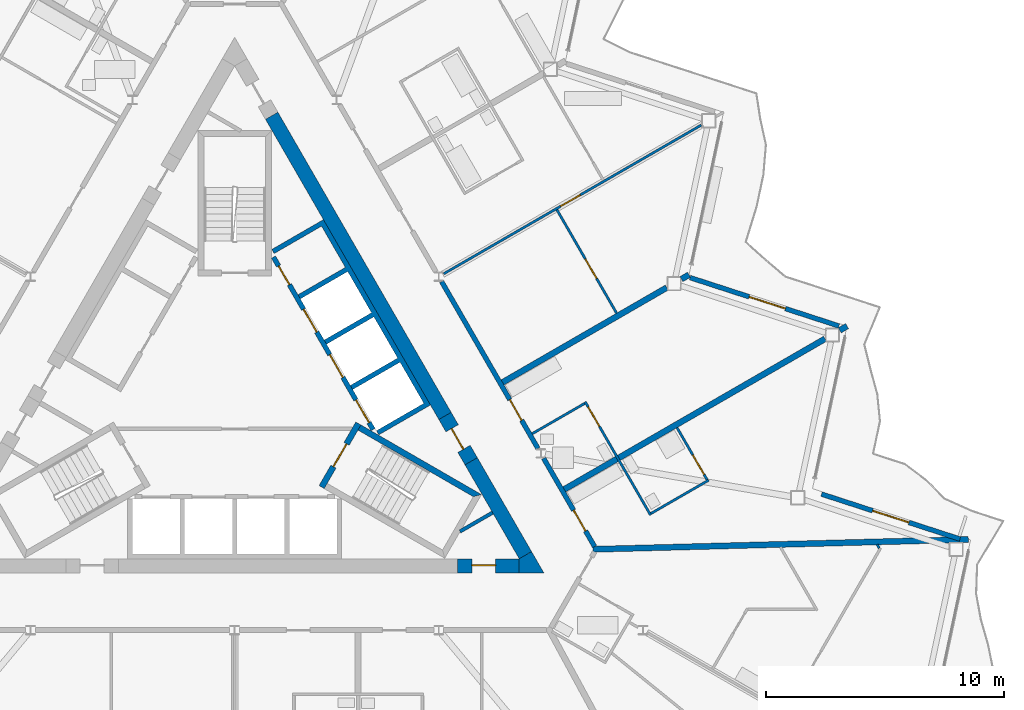
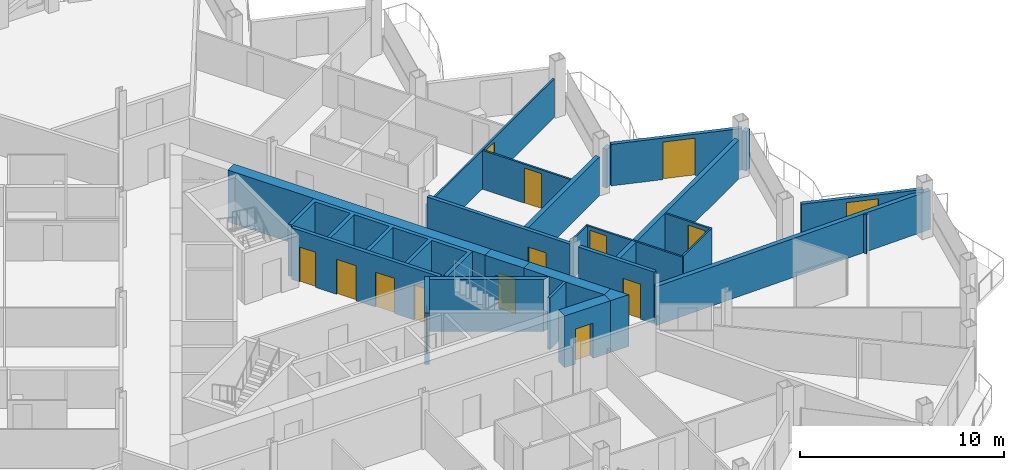
# One storey, part 17 of 28: 26 walls, 15 doors, 15 openings.
"""IFC4 building model written with IfcOpenShell, lengths in metres."""

from ifc_helpers import new_model, si_unit, direction, frame, frame_2d, origin, place, context, subcontext, project, spatial, polyline, rectangle, outline, extrude, material, layer, layer_set, type_object, element, fill, save


model = new_model("IFC4")

# Units and contexts
model_context = context("Model", 3, precision=1e-05, world=origin(), true_north=direction((0.0, 1.0)))
body_context = subcontext(model_context, "Body", "Model", "MODEL_VIEW")
ifc_project = project(units=[si_unit("LENGTHUNIT", "METRE"), si_unit("AREAUNIT", "SQUARE_METRE"), si_unit("VOLUMEUNIT", "CUBIC_METRE"), si_unit("PLANEANGLEUNIT", "RADIAN"), si_unit("MASSUNIT", "GRAM", prefix="KILO")], contexts=[model_context])

# Site, building, storey
site_placement = place(None, origin())
site = spatial("IfcSite", under=ifc_project, at=site_placement, CompositionType="ELEMENT")
building_placement = place(site_placement, origin())
building = spatial("IfcBuilding", under=site, at=building_placement, Name="Cormorant Prow Tower", CompositionType="ELEMENT")
storey_placement = place(building_placement, frame((0.0, 0.0, 308.60009765625)))
storey = spatial("IfcBuildingStorey", under=building, at=storey_placement, Name="L67", CompositionType="ELEMENT", Elevation=308.60009765625)

# Walls
ifc_material_1 = material(Name="Gypsum board partition")
ifc_layer_1 = layer(ifc_material_1, 0.14990234375)
ifc_layer_set_1 = layer_set([ifc_layer_1], Name="Gypsum board partition")
wall_type_1 = type_object("IfcWallType", Name="Core partition 150", PredefinedType="PARTITIONING", material=ifc_layer_set_1)
wall_1_placement = place(storey_placement, frame((10.841796875, -4.96728515625, 0.0), z_axis=(0.0, 0.0, 1.0), x_axis=(-0.866098216386, -0.499873863663, 0.0)))
element("IfcWall", 1, at=wall_1_placement, inside=storey, type_object=wall_type_1, Name="Service room partition", PredefinedType="PARTITIONING", context=body_context, shape_type="SweptSolid", body=[
    extrude(rectangle(XDim=1.58203125, YDim=0.14990234375, at=frame_2d((0.791015625, 0.0))), origin(), (0.0, 0.0, 1.0), 3.099853515625),
])
ifc_material_2 = material(Name="Concrete 8000 psi", Category="concrete")
ifc_layer_2 = layer(ifc_material_2, 0.60009765625)
ifc_layer_set_2 = layer_set([ifc_layer_2], Name="Concrete 8000 psi")
wall_type_2 = type_object("IfcWallType", Name="Core shear wall 600", PredefinedType="SHEAR", material=ifc_layer_set_2)
wall_2_placement = place(storey_placement, frame((8.841064453125, -0.902099609375, 0.0), z_axis=(0.0, 0.0, 1.0), x_axis=(-0.499995618375, 0.866027933502, 0.0)))
element("IfcWall", 2, at=wall_2_placement, inside=storey, type_object=wall_type_2, Name="Core wall", PredefinedType="SHEAR", context=body_context, shape_type="SweptSolid", body=[
    extrude(rectangle(XDim=14.570556640625, YDim=0.60009765625, at=frame_2d((7.28515625, 0.0))), origin(), (0.0, 0.0, 1.0), 3.099853515625),
])
wall_3_placement = place(storey_placement, frame((12.220703125, -6.755615234375, 0.0), z_axis=(0.0, 0.0, 1.0), x_axis=(-0.500020646047, 0.866013483456, 0.0)))
element("IfcWall", 3, at=wall_3_placement, inside=storey, type_object=wall_type_2, Name="Core wall", PredefinedType="SHEAR", context=body_context, shape_type="SweptSolid", body=[
    extrude(rectangle(XDim=4.559326171875, YDim=0.60009765625, at=frame_2d((2.27978515625, 0.0))), origin(), (0.0, 0.0, 1.0), 3.099853515625),
])
wall_4_placement = place(storey_placement, origin())
element("IfcWall", 4, at=wall_4_placement, inside=storey, type_object=wall_type_2, Name="Core wall corner", PredefinedType="SHEAR", context=body_context, shape_type="SweptSolid", body=[
    extrude(outline(polyline([(11.960693359375, -7.505615234375), (11.960693359375, -6.905517578125), (12.48046875, -6.605712890625), (13.0, -7.505615234375), (11.960693359375, -7.505615234375)])), origin(), (0.0, 0.0, 1.0), 3.099853515625),
])

# Wall, opening, door
wall_5_placement = place(storey_placement, frame((9.36865234375, -7.20556640625, 0.0), z_axis=(0.0, 0.0, 1.0), x_axis=(1.0, 0.0, 0.0)))
wall_5 = element("IfcWall", 5, at=wall_5_placement, inside=storey, type_object=wall_type_2, Name="Core wall door panel", PredefinedType="SHEAR", context=body_context, shape_type="SweptSolid", body=[
    extrude(rectangle(XDim=2.592041015625, YDim=0.60009765625, at=frame_2d((1.2958984375, 0.0))), origin(), (0.0, 0.0, 1.0), 3.099853515625),
])
opening_1_placement = place(wall_5_placement, frame((0.60009765625, 0.0, 0.0)))
opening_1 = element("IfcOpeningElement", 6, at=opening_1_placement, cuts=wall_5, Name="Opening L67-C15", PredefinedType="OPENING", context=body_context, shape_type="SweptSolid", body=[
    extrude(rectangle(XDim=1.0, YDim=2.10009765625, at=frame_2d((0.5, 1.050048828125))), frame((0.0, 0.31005859375, 0.0), z_axis=(0.0, -1.0, 0.0), x_axis=(1.0, 0.0, 0.0)), (0.0, 0.0, 1.0), 0.6201171875),
])
ifc_material_3 = material(Name="Painted steel", Category="steel")
door_type_1 = type_object("IfcDoorType", Name="Service door 1000x2100", OperationType="NOTDEFINED", PredefinedType="DOOR", material=ifc_material_3)
door_1_placement = place(opening_1_placement, origin())
door_1 = element("IfcDoor", 7, at=door_1_placement, inside=storey, type_object=door_type_1, Name="Core door, Telecom room", OperationType="SINGLE_SWING_RIGHT", OverallHeight=2.10009765625, OverallWidth=1.0, PredefinedType="DOOR", context=body_context, shape_type="SweptSolid", body=[
    extrude(rectangle(XDim=1.0, YDim=2.10009765625, at=frame_2d((0.5, 1.050048828125))), frame((0.0, 0.05517578125, 0.0), z_axis=(0.0, -1.0, 0.0), x_axis=(1.0, 0.0, 0.0)), (0.0, 0.0, 1.0), 0.050048828125),
])
fill(opening_1, door_1)

wall_6_placement = place(storey_placement, frame((9.94091796875, -2.80712890625, 0.0), z_axis=(0.0, 0.0, 1.0), x_axis=(-0.499994660107, 0.866028486751, 0.0)))
wall_6 = element("IfcWall", 8, at=wall_6_placement, inside=storey, type_object=wall_type_2, Name="Core wall door panel", PredefinedType="SHEAR", context=body_context, shape_type="SweptSolid", body=[
    extrude(rectangle(XDim=2.19970703125, YDim=0.60009765625, at=frame_2d((1.099853515625, 0.0))), origin(), (0.0, 0.0, 1.0), 3.099853515625),
])
opening_2_placement = place(wall_6_placement, frame((0.60009765625, 0.0, 0.0)))
opening_2 = element("IfcOpeningElement", 9, at=opening_2_placement, cuts=wall_6, Name="Opening L67-C17", PredefinedType="OPENING", context=body_context, shape_type="SweptSolid", body=[
    extrude(rectangle(XDim=1.0, YDim=2.10009765625, at=frame_2d((0.5, 1.050048828125))), frame((0.0, 0.31005859375, 0.0), z_axis=(0.0, -1.0, 0.0), x_axis=(1.0, 0.0, 0.0)), (0.0, 0.0, 1.0), 0.6201171875),
])
door_2_placement = place(opening_2_placement, origin())
door_2 = element("IfcDoor", 10, at=door_2_placement, inside=storey, type_object=door_type_1, Name="Core door, Electrical room", OperationType="SINGLE_SWING_LEFT", OverallHeight=2.10009765625, OverallWidth=1.0, PredefinedType="DOOR", context=body_context, shape_type="SweptSolid", body=[
    extrude(rectangle(XDim=1.0, YDim=2.10009765625, at=frame_2d((0.5, 1.050048828125))), frame((0.0, 0.05517578125, 0.0), z_axis=(0.0, -1.0, 0.0), x_axis=(1.0, 0.0, 0.0)), (0.0, 0.0, 1.0), 0.050048828125),
])
fill(opening_2, door_2)

ifc_material_4 = material(Name="Gypsum board corridor wall")
ifc_layer_3 = layer(ifc_material_4, 0.199951171875)
ifc_layer_set_3 = layer_set([ifc_layer_3], Name="Gypsum board corridor wall")
wall_type_3 = type_object("IfcWallType", Name="Corridor wall 200", PredefinedType="PARTITIONING", material=ifc_layer_set_3)
wall_7_placement = place(storey_placement, frame((8.698486328125, 4.7451171875, 0.0), z_axis=(0.0, 0.0, 1.0), x_axis=(0.499984266882, -0.866034487114, 0.0)))
wall_7 = element("IfcWall", 11, at=wall_7_placement, inside=storey, type_object=wall_type_3, Name="Corridor wall", PredefinedType="PARTITIONING", context=body_context, shape_type="SweptSolid", body=[
    extrude(rectangle(XDim=8.098876953125, YDim=0.199951171875, at=frame_2d((4.04931640625, 0.0))), origin(), (0.0, 0.0, 1.0), 3.099853515625),
])
opening_3_placement = place(wall_7_placement, frame((5.732177734375, 0.0, 0.0)))
opening_3 = element("IfcOpeningElement", 12, at=opening_3_placement, cuts=wall_7, Name="Opening L67-F24", PredefinedType="OPENING", context=body_context, shape_type="SweptSolid", body=[
    extrude(rectangle(XDim=1.0, YDim=2.10009765625, at=frame_2d((0.5, 1.050048828125))), frame((0.0, 0.10986328125, 0.0), z_axis=(0.0, -1.0, 0.0), x_axis=(1.0, 0.0, 0.0)), (0.0, 0.0, 1.0), 0.219970703125),
])
ifc_material_5 = material(Name="Timber door leaf", Category="wood")
door_type_2 = type_object("IfcDoorType", Name="Flat or room entrance door 1000x2100", OperationType="NOTDEFINED", PredefinedType="DOOR", material=ifc_material_5)
door_3_placement = place(opening_3_placement, origin())
door_3 = element("IfcDoor", 13, at=door_3_placement, inside=storey, type_object=door_type_2, Name="Studio living, kitchen and sleeping room door", OperationType="SINGLE_SWING_LEFT", OverallHeight=2.10009765625, OverallWidth=1.0, PredefinedType="DOOR", context=body_context, shape_type="SweptSolid", body=[
    extrude(rectangle(XDim=1.0, YDim=2.10009765625, at=frame_2d((0.5, 1.050048828125))), frame((0.0, 0.02490234375, 0.0), z_axis=(0.0, -1.0, 0.0), x_axis=(1.0, 0.0, 0.0)), (0.0, 0.0, 1.0), 0.050048828125),
])
fill(opening_3, door_3)

wall_8_placement = place(storey_placement, frame((12.987548828125, -2.68408203125, 0.0), z_axis=(0.0, 0.0, 1.0), x_axis=(0.500003406062, -0.866023437285, 0.0)))
wall_8 = element("IfcWall", 14, at=wall_8_placement, inside=storey, type_object=wall_type_3, Name="Corridor wall", PredefinedType="PARTITIONING", context=body_context, shape_type="SweptSolid", body=[
    extrude(rectangle(XDim=4.28759765625, YDim=0.199951171875, at=frame_2d((2.143798828125, 0.0))), origin(), (0.0, 0.0, 1.0), 3.099853515625),
])
opening_4_placement = place(wall_8_placement, frame((2.521484375, 0.0, 0.0)))
opening_4 = element("IfcOpeningElement", 15, at=opening_4_placement, cuts=wall_8, Name="Opening L67-F22", PredefinedType="OPENING", context=body_context, shape_type="SweptSolid", body=[
    extrude(rectangle(XDim=1.0, YDim=2.10009765625, at=frame_2d((0.5, 1.050048828125))), frame((0.0, 0.10986328125, 0.0), z_axis=(0.0, -1.0, 0.0), x_axis=(1.0, 0.0, 0.0)), (0.0, 0.0, 1.0), 0.219970703125),
])
door_4_placement = place(opening_4_placement, origin())
door_4 = element("IfcDoor", 16, at=door_4_placement, inside=storey, type_object=door_type_2, Name="Studio living, kitchen and sleeping room door", OperationType="SINGLE_SWING_RIGHT", OverallHeight=2.10009765625, OverallWidth=1.0, PredefinedType="DOOR", context=body_context, shape_type="SweptSolid", body=[
    extrude(rectangle(XDim=1.0, YDim=2.10009765625, at=frame_2d((0.5, 1.050048828125))), frame((0.0, 0.02490234375, 0.0), z_axis=(0.0, -1.0, 0.0), x_axis=(1.0, 0.0, 0.0)), (0.0, 0.0, 1.0), 0.050048828125),
])
fill(opening_4, door_4)

ifc_material_6 = material(Name="Gypsum board partition")
ifc_layer_4 = layer(ifc_material_6, 0.10009765625)
ifc_layer_set_4 = layer_set([ifc_layer_4], Name="Gypsum board partition")
wall_type_4 = type_object("IfcWallType", Name="Internal partition 100", PredefinedType="PARTITIONING", material=ifc_layer_set_4)
wall_9_placement = place(storey_placement, frame((8.7861328125, 5.07275390625, 0.0), z_axis=(0.0, 0.0, 1.0), x_axis=(0.86602139559, 0.500006942333, 0.0)))
wall_9 = element("IfcWall", 17, at=wall_9_placement, inside=storey, type_object=wall_type_4, Name="Internal partition", PredefinedType="PARTITIONING", context=body_context, shape_type="SweptSolid", body=[
    extrude(rectangle(XDim=12.504638671875, YDim=0.10009765625, at=frame_2d((6.25244140625, 0.0))), origin(), (0.0, 0.0, 1.0), 2.330078125),
])
opening_5_placement = place(wall_9_placement, frame((5.6767578125, 0.0, 0.0)))
opening_5 = element("IfcOpeningElement", 18, at=opening_5_placement, cuts=wall_9, Name="Opening L67-F29", PredefinedType="OPENING", context=body_context, shape_type="SweptSolid", body=[
    extrude(rectangle(XDim=0.949951171875, YDim=2.10009765625, at=frame_2d((0.47509765625, 1.050048828125))), frame((0.0, 0.06005859375, 0.0), z_axis=(0.0, -1.0, 0.0), x_axis=(1.0, 0.0, 0.0)), (0.0, 0.0, 1.0), 0.1201171875),
])
ifc_material_7 = material(Name="Timber door leaf", Category="wood")
door_type_3 = type_object("IfcDoorType", Name="Bathroom door 950x2100", OperationType="NOTDEFINED", PredefinedType="DOOR", material=ifc_material_7)
door_5_placement = place(opening_5_placement, origin())
door_5 = element("IfcDoor", 19, at=door_5_placement, inside=storey, type_object=door_type_3, Name="Living room door", OperationType="SINGLE_SWING_LEFT", OverallHeight=2.10009765625, OverallWidth=0.949951171875, PredefinedType="DOOR", context=body_context, shape_type="SweptSolid", body=[
    extrude(rectangle(XDim=0.949951171875, YDim=2.10009765625, at=frame_2d((0.47509765625, 1.050048828125))), frame((0.0, 0.02490234375, 0.0), z_axis=(0.0, -1.0, 0.0), x_axis=(1.0, 0.0, 0.0)), (0.0, 0.0, 1.0), 0.050048828125),
])
fill(opening_5, door_5)

wall_10_placement = place(storey_placement, frame((14.732666015625, -0.306640625, 0.0), z_axis=(0.0, 0.0, 1.0), x_axis=(0.499996545922, -0.866027397988, 0.0)))
wall_10 = element("IfcWall", 20, at=wall_10_placement, inside=storey, type_object=wall_type_4, Name="Internal partition", PredefinedType="PARTITIONING", context=body_context, shape_type="SweptSolid", body=[
    extrude(rectangle(XDim=5.5, YDim=0.10009765625, at=frame_2d((2.75, 0.0))), origin(), (0.0, 0.0, 1.0), 2.330078125),
])
opening_6_placement = place(wall_10_placement, frame((0.25, 0.0, 0.0)))
opening_6 = element("IfcOpeningElement", 21, at=opening_6_placement, cuts=wall_10, Name="Opening L67-F25", PredefinedType="OPENING", context=body_context, shape_type="SweptSolid", body=[
    extrude(rectangle(XDim=0.949951171875, YDim=2.10009765625, at=frame_2d((0.47509765625, 1.050048828125))), frame((0.0, 0.06005859375, 0.0), z_axis=(0.0, -1.0, 0.0), x_axis=(1.0, 0.0, 0.0)), (0.0, 0.0, 1.0), 0.1201171875),
])
door_6_placement = place(opening_6_placement, origin())
door_6 = element("IfcDoor", 22, at=door_6_placement, inside=storey, type_object=door_type_3, Name="Studio living, kitchen and sleeping room door", OperationType="SINGLE_SWING_LEFT", OverallHeight=2.10009765625, OverallWidth=0.949951171875, PredefinedType="DOOR", context=body_context, shape_type="SweptSolid", body=[
    extrude(rectangle(XDim=0.949951171875, YDim=2.10009765625, at=frame_2d((0.47509765625, 1.050048828125))), frame((0.0, 0.02490234375, 0.0), z_axis=(0.0, -1.0, 0.0), x_axis=(1.0, 0.0, 0.0)), (0.0, 0.0, 1.0), 0.050048828125),
])
fill(opening_6, door_6)

wall_11_placement = place(storey_placement, frame((13.5458984375, 7.762939453125, 0.0), z_axis=(0.0, 0.0, 1.0), x_axis=(0.500028620461, -0.866008879123, 0.0)))
wall_11 = element("IfcWall", 23, at=wall_11_placement, inside=storey, type_object=wall_type_4, Name="Internal partition", PredefinedType="PARTITIONING", context=body_context, shape_type="SweptSolid", body=[
    extrude(rectangle(XDim=5.015869140625, YDim=0.10009765625, at=frame_2d((2.5078125, 0.0))), origin(), (0.0, 0.0, 1.0), 2.330078125),
])
opening_7_placement = place(wall_11_placement, frame((2.3896484375, 0.0, 0.0)))
opening_7 = element("IfcOpeningElement", 24, at=opening_7_placement, cuts=wall_11, Name="Opening L67-F30", PredefinedType="OPENING", context=body_context, shape_type="SweptSolid", body=[
    extrude(rectangle(XDim=0.949951171875, YDim=2.10009765625, at=frame_2d((0.47509765625, 1.050048828125))), frame((0.0, 0.06005859375, 0.0), z_axis=(0.0, -1.0, 0.0), x_axis=(1.0, 0.0, 0.0)), (0.0, 0.0, 1.0), 0.1201171875),
])
door_7_placement = place(opening_7_placement, origin())
door_7 = element("IfcDoor", 25, at=door_7_placement, inside=storey, type_object=door_type_3, Name="Bedroom door", OperationType="SINGLE_SWING_LEFT", OverallHeight=2.10009765625, OverallWidth=0.949951171875, PredefinedType="DOOR", context=body_context, shape_type="SweptSolid", body=[
    extrude(rectangle(XDim=0.949951171875, YDim=2.10009765625, at=frame_2d((0.47509765625, 1.050048828125))), frame((0.0, 0.02490234375, 0.0), z_axis=(0.0, -1.0, 0.0), x_axis=(1.0, 0.0, 0.0)), (0.0, 0.0, 1.0), 0.050048828125),
])
fill(opening_7, door_7)

# Wall
wall_12_placement = place(storey_placement, frame((17.5009765625, -5.00146484375, 0.0), z_axis=(0.0, 0.0, 1.0), x_axis=(0.866034573852, 0.49998411664, 0.0)))
element("IfcWall", 26, at=wall_12_placement, inside=storey, type_object=wall_type_4, Name="Internal partition", PredefinedType="PARTITIONING", context=body_context, shape_type="SweptSolid", body=[
    extrude(rectangle(XDim=2.7998046875, YDim=0.10009765625, at=frame_2d((1.39990234375, 0.0))), origin(), (0.0, 0.0, 1.0), 2.330078125),
])

# Wall, opening, door
wall_13_placement = place(storey_placement, frame((18.594970703125, -1.396484375, 0.0), z_axis=(0.0, 0.0, 1.0), x_axis=(0.499976333282, -0.866039067339, 0.0)))
wall_13 = element("IfcWall", 27, at=wall_13_placement, inside=storey, type_object=wall_type_4, Name="Internal partition", PredefinedType="PARTITIONING", context=body_context, shape_type="SweptSolid", body=[
    extrude(rectangle(XDim=2.52490234375, YDim=0.10009765625, at=frame_2d((1.262451171875, 0.0))), origin(), (0.0, 0.0, 1.0), 2.330078125),
])
opening_8_placement = place(wall_13_placement, frame((1.324951171875, 0.0, 0.0)))
opening_8 = element("IfcOpeningElement", 28, at=opening_8_placement, cuts=wall_13, Name="Opening L67-F23", PredefinedType="OPENING", context=body_context, shape_type="SweptSolid", body=[
    extrude(rectangle(XDim=0.949951171875, YDim=2.10009765625, at=frame_2d((0.47509765625, 1.050048828125))), frame((0.0, 0.06005859375, 0.0), z_axis=(0.0, -1.0, 0.0), x_axis=(1.0, 0.0, 0.0)), (0.0, 0.0, 1.0), 0.1201171875),
])
door_8_placement = place(opening_8_placement, origin())
door_8 = element("IfcDoor", 29, at=door_8_placement, inside=storey, type_object=door_type_3, Name="Studio living, kitchen and sleeping room door", OperationType="SINGLE_SWING_RIGHT", OverallHeight=2.10009765625, OverallWidth=0.949951171875, PredefinedType="DOOR", context=body_context, shape_type="SweptSolid", body=[
    extrude(rectangle(XDim=0.949951171875, YDim=2.10009765625, at=frame_2d((0.47509765625, 1.050048828125))), frame((0.0, 0.02490234375, 0.0), z_axis=(0.0, -1.0, 0.0), x_axis=(1.0, 0.0, 0.0)), (0.0, 0.0, 1.0), 0.050048828125),
])
fill(opening_8, door_8)

# Walls
wall_14_placement = place(storey_placement, frame((12.506103515625, -1.64990234375, 0.0), z_axis=(0.0, 0.0, 1.0), x_axis=(0.866030925526, 0.499990435942, 0.0)))
element("IfcWall", 30, at=wall_14_placement, inside=storey, type_object=wall_type_4, Name="Internal partition", PredefinedType="PARTITIONING", context=body_context, shape_type="SweptSolid", body=[
    extrude(rectangle(XDim=2.5498046875, YDim=0.10009765625, at=frame_2d((1.27490234375, 0.0))), origin(), (0.0, 0.0, 1.0), 2.330078125),
])
wall_15_placement = place(storey_placement, frame((27.006103515625, -6.306396484375, 0.0), z_axis=(0.0, 0.0, 1.0), x_axis=(0.500074377092, -0.865982457891, 0.0)))
element("IfcWall", 31, at=wall_15_placement, inside=storey, type_object=wall_type_4, Name="Internal partition", PredefinedType="PARTITIONING", context=body_context, shape_type="SweptSolid", body=[
    extrude(rectangle(XDim=0.18017578125, YDim=0.10009765625, at=frame_2d((0.090087890625, 0.0))), origin(), (0.0, 0.0, 1.0), 2.330078125),
])

# Wall, openings, doors
ifc_material_8 = material(Name="Concrete 5000 psi", Category="concrete")
ifc_layer_5 = layer(ifc_material_8, 0.199951171875)
ifc_layer_set_5 = layer_set([ifc_layer_5], Name="Concrete 5000 psi")
wall_type_5 = type_object("IfcWallType", Name="Lift lobby wall 200", PredefinedType="SOLIDWALL", material=ifc_layer_set_5)
wall_16_placement = place(storey_placement, frame((5.817138671875, -1.4755859375, 0.0), z_axis=(0.0, 0.0, 1.0), x_axis=(-0.500002616675, 0.866023893041, 0.0)))
wall_16 = element("IfcWall", 32, at=wall_16_placement, inside=storey, type_object=wall_type_5, Name="Lift lobby wall, ENE block", PredefinedType="SOLIDWALL", context=body_context, shape_type="SweptSolid", body=[
    extrude(rectangle(XDim=8.373046875, YDim=0.199951171875, at=frame_2d((4.1865234375, 0.0))), origin(), (0.0, 0.0, 1.0), 3.099853515625),
])
opening_9_placement = place(wall_16_placement, frame((0.336669921875, 0.0, 0.0)))
opening_9 = element("IfcOpeningElement", 33, at=opening_9_placement, cuts=wall_16, Name="Opening L67-C05", PredefinedType="OPENING", context=body_context, shape_type="SweptSolid", body=[
    extrude(rectangle(XDim=1.10009765625, YDim=2.10009765625, at=frame_2d((0.550048828125, 1.050048828125))), frame((0.0, 0.10986328125, 0.0), z_axis=(0.0, -1.0, 0.0), x_axis=(1.0, 0.0, 0.0)), (0.0, 0.0, 1.0), 0.219970703125),
])
opening_10_placement = place(wall_16_placement, frame((2.53662109375, 0.0, 0.0)))
opening_10 = element("IfcOpeningElement", 34, at=opening_10_placement, cuts=wall_16, Name="Opening L67-C06", PredefinedType="OPENING", context=body_context, shape_type="SweptSolid", body=[
    extrude(rectangle(XDim=1.10009765625, YDim=2.10009765625, at=frame_2d((0.550048828125, 1.050048828125))), frame((0.0, 0.10986328125, 0.0), z_axis=(0.0, -1.0, 0.0), x_axis=(1.0, 0.0, 0.0)), (0.0, 0.0, 1.0), 0.219970703125),
])
opening_11_placement = place(wall_16_placement, frame((4.736572265625, 0.0, 0.0)))
opening_11 = element("IfcOpeningElement", 35, at=opening_11_placement, cuts=wall_16, Name="Opening L67-C07", PredefinedType="OPENING", context=body_context, shape_type="SweptSolid", body=[
    extrude(rectangle(XDim=1.10009765625, YDim=2.10009765625, at=frame_2d((0.550048828125, 1.050048828125))), frame((0.0, 0.10986328125, 0.0), z_axis=(0.0, -1.0, 0.0), x_axis=(1.0, 0.0, 0.0)), (0.0, 0.0, 1.0), 0.219970703125),
])
opening_12_placement = place(wall_16_placement, frame((7.03662109375, 0.0, 0.0)))
opening_12 = element("IfcOpeningElement", 36, at=opening_12_placement, cuts=wall_16, Name="Opening L67-C08", PredefinedType="OPENING", context=body_context, shape_type="SweptSolid", body=[
    extrude(rectangle(XDim=0.89990234375, YDim=2.10009765625, at=frame_2d((0.449951171875, 1.050048828125))), frame((0.0, 0.10986328125, 0.0), z_axis=(0.0, -1.0, 0.0), x_axis=(1.0, 0.0, 0.0)), (0.0, 0.0, 1.0), 0.219970703125),
])
ifc_material_9 = material(Name="Painted steel", Category="steel")
door_type_4 = type_object("IfcDoorType", Name="Lift landing door 1100x2100", OperationType="SLIDING_TO_LEFT", PredefinedType="DOOR", material=ifc_material_9)
door_9_placement = place(opening_9_placement, origin())
door_9 = element("IfcDoor", 37, at=door_9_placement, inside=storey, type_object=door_type_4, Name="Landing door HR2", OperationType="SLIDING_TO_LEFT", OverallHeight=2.10009765625, OverallWidth=1.10009765625, PredefinedType="DOOR", context=body_context, shape_type="SweptSolid", body=[
    extrude(rectangle(XDim=1.10009765625, YDim=2.10009765625, at=frame_2d((0.550048828125, 1.050048828125))), frame((0.0, 0.02490234375, 0.0), z_axis=(0.0, -1.0, 0.0), x_axis=(1.0, 0.0, 0.0)), (0.0, 0.0, 1.0), 0.050048828125),
])
fill(opening_9, door_9)
door_10_placement = place(opening_10_placement, origin())
door_10 = element("IfcDoor", 38, at=door_10_placement, inside=storey, type_object=door_type_4, Name="Landing door HR3", OperationType="SLIDING_TO_LEFT", OverallHeight=2.10009765625, OverallWidth=1.10009765625, PredefinedType="DOOR", context=body_context, shape_type="SweptSolid", body=[
    extrude(rectangle(XDim=1.10009765625, YDim=2.10009765625, at=frame_2d((0.550048828125, 1.050048828125))), frame((0.0, 0.02490234375, 0.0), z_axis=(0.0, -1.0, 0.0), x_axis=(1.0, 0.0, 0.0)), (0.0, 0.0, 1.0), 0.050048828125),
])
fill(opening_10, door_10)
door_11_placement = place(opening_11_placement, origin())
door_11 = element("IfcDoor", 39, at=door_11_placement, inside=storey, type_object=door_type_4, Name="Landing door HR4", OperationType="SLIDING_TO_LEFT", OverallHeight=2.10009765625, OverallWidth=1.10009765625, PredefinedType="DOOR", context=body_context, shape_type="SweptSolid", body=[
    extrude(rectangle(XDim=1.10009765625, YDim=2.10009765625, at=frame_2d((0.550048828125, 1.050048828125))), frame((0.0, 0.02490234375, 0.0), z_axis=(0.0, -1.0, 0.0), x_axis=(1.0, 0.0, 0.0)), (0.0, 0.0, 1.0), 0.050048828125),
])
fill(opening_11, door_11)
ifc_material_10 = material(Name="Painted steel", Category="steel")
door_type_5 = type_object("IfcDoorType", Name="Service door 900x2100", OperationType="NOTDEFINED", PredefinedType="DOOR", material=ifc_material_10)
door_12_placement = place(opening_12_placement, origin())
door_12 = element("IfcDoor", 40, at=door_12_placement, inside=storey, type_object=door_type_5, Name="Service door, Telecom room", OperationType="SINGLE_SWING_RIGHT", OverallHeight=2.10009765625, OverallWidth=0.89990234375, PredefinedType="DOOR", context=body_context, shape_type="SweptSolid", body=[
    extrude(rectangle(XDim=0.89990234375, YDim=2.10009765625, at=frame_2d((0.449951171875, 1.050048828125))), frame((0.0, 0.02490234375, 0.0), z_axis=(0.0, -1.0, 0.0), x_axis=(1.0, 0.0, 0.0)), (0.0, 0.0, 1.0), 0.050048828125),
])
fill(opening_12, door_12)

# Walls
ifc_material_11 = material(Name="Concrete 8000 psi", Category="concrete")
ifc_layer_6 = layer(ifc_material_11, 0.199951171875)
ifc_layer_set_6 = layer_set([ifc_layer_6], Name="Concrete 8000 psi")
wall_type_6 = type_object("IfcWallType", Name="Lift shaft wall 200", PredefinedType="SHEAR", material=ifc_layer_set_6)
wall_17_placement = place(storey_placement, origin())
element("IfcWall", 41, at=wall_17_placement, inside=storey, type_object=wall_type_6, Name="Lift shaft walls, ENE block", PredefinedType="SHEAR", context=body_context, shape_type="SweptSolid", body=[
    extrude(outline(polyline([(1.560546875, 6.09716796875), (3.730712890625, 7.35009765625), (8.230712890625, -0.444091796875), (6.060546875, -1.697021484375), (5.96044921875, -1.52392578125), (7.952392578125, -0.373779296875), (6.952392578125, 1.358154296875), (4.96044921875, 0.2080078125), (4.860595703125, 0.38134765625), (6.852294921875, 1.53125), (5.852294921875, 3.263427734375), (3.860595703125, 2.11328125), (3.760498046875, 2.28662109375), (5.75244140625, 3.4365234375), (4.75244140625, 5.168701171875), (2.760498046875, 4.018798828125), (2.660400390625, 4.19189453125), (4.65234375, 5.341796875), (3.65234375, 7.073974609375), (1.660400390625, 5.923828125), (1.560546875, 6.09716796875)])), origin(), (0.0, 0.0, 1.0), 3.099853515625),
])
ifc_material_12 = material(Name="Concrete 8000 psi", Category="concrete")
ifc_layer_7 = layer(ifc_material_12, 0.25)
ifc_layer_set_7 = layer_set([ifc_layer_7], Name="Concrete 8000 psi")
wall_type_7 = type_object("IfcWallType", Name="Stair wall 250", PredefinedType="SHEAR", material=ifc_layer_set_7)
wall_18_placement = place(storey_placement, origin())
element("IfcWall", 42, at=wall_18_placement, inside=storey, type_object=wall_type_7, Name="Stair ST2 enclosure wall (flank)", PredefinedType="SHEAR", context=body_context, shape_type="SweptSolid", body=[
    extrude(outline(polyline([(10.031982421875, -4.2978515625), (10.37353515625, -4.206298828125), (5.30712890625, -1.28125), (5.18212890625, -1.497802734375), (10.031982421875, -4.2978515625)])), origin(), (0.0, 0.0, 1.0), 3.099853515625),
])

# Wall, opening, door
wall_19_placement = place(storey_placement, frame((3.655029296875, -3.89306640625, 0.0), z_axis=(0.0, 0.0, 1.0), x_axis=(0.499982516597, 0.866035497597, 0.0)))
wall_19 = element("IfcWall", 43, at=wall_19_placement, inside=storey, type_object=wall_type_7, Name="Stair ST2 door wall", PredefinedType="SHEAR", context=body_context, shape_type="SweptSolid", body=[
    extrude(rectangle(XDim=3.087890625, YDim=0.25, at=frame_2d((1.5439453125, 0.0))), origin(), (0.0, 0.0, 1.0), 3.099853515625),
])
opening_13_placement = place(wall_19_placement, frame((0.993896484375, 0.0, 0.0)))
opening_13 = element("IfcOpeningElement", 44, at=opening_13_placement, cuts=wall_19, Name="Opening L67-C13", PredefinedType="OPENING", context=body_context, shape_type="SweptSolid", body=[
    extrude(rectangle(XDim=1.10009765625, YDim=2.10009765625, at=frame_2d((0.550048828125, 1.050048828125))), frame((0.0, 0.135009765625, 0.0), z_axis=(0.0, -1.0, 0.0), x_axis=(1.0, 0.0, 0.0)), (0.0, 0.0, 1.0), 0.27001953125),
])
ifc_material_13 = material(Name="Painted steel", Category="steel")
door_type_6 = type_object("IfcDoorType", Name="Stair door 1100x2100", OperationType="NOTDEFINED", PredefinedType="DOOR", material=ifc_material_13)
door_13_placement = place(opening_13_placement, origin())
door_13 = element("IfcDoor", 45, at=door_13_placement, inside=storey, type_object=door_type_6, Name="Stair ST2 door", OperationType="SINGLE_SWING_RIGHT", OverallHeight=2.10009765625, OverallWidth=1.10009765625, PredefinedType="DOOR", context=body_context, shape_type="SweptSolid", body=[
    extrude(rectangle(XDim=1.10009765625, YDim=2.10009765625, at=frame_2d((0.550048828125, 1.050048828125))), frame((0.0, 0.02490234375, 0.0), z_axis=(0.0, -1.0, 0.0), x_axis=(1.0, 0.0, 0.0)), (0.0, 0.0, 1.0), 0.050048828125),
])
fill(opening_13, door_13)

# Walls
ifc_material_14 = material(Name="Acoustic gypsum party wall")
ifc_layer_8 = layer(ifc_material_14, 0.25)
ifc_layer_set_8 = layer_set([ifc_layer_8], Name="Acoustic gypsum party wall")
wall_type_8 = type_object("IfcWallType", Name="Suite party wall 250", PredefinedType="PARTITIONING", material=ifc_layer_set_8)
wall_20_placement = place(storey_placement, frame((15.069091796875, -6.5087890625, 0.0), z_axis=(0.0, 0.0, 1.0), x_axis=(0.999657828615, 0.026157708023, 0.0)))
element("IfcWall", 46, at=wall_20_placement, inside=storey, type_object=wall_type_8, Name="Suite party wall", PredefinedType="PARTITIONING", context=body_context, shape_type="SweptSolid", body=[
    extrude(rectangle(XDim=15.7734375, YDim=0.25, at=frame_2d((7.88671875, 0.0))), origin(), (0.0, 0.0, 1.0), 2.330078125),
])
wall_21_placement = place(storey_placement, frame((13.85595703125, -3.98828125, 0.0), z_axis=(0.0, 0.0, 1.0), x_axis=(0.866021406514, 0.500006923412, 0.0)))
element("IfcWall", 47, at=wall_21_placement, inside=storey, type_object=wall_type_8, Name="Suite party wall", PredefinedType="PARTITIONING", context=body_context, shape_type="SweptSolid", body=[
    extrude(rectangle(XDim=12.654052734375, YDim=0.25, at=frame_2d((6.3271484375, 0.0))), origin(), (0.0, 0.0, 1.0), 2.330078125),
])
wall_22_placement = place(storey_placement, frame((11.260498046875, 0.50732421875, 0.0), z_axis=(0.0, 0.0, 1.0), x_axis=(0.86602842894, 0.499994760241, 0.0)))
element("IfcWall", 48, at=wall_22_placement, inside=storey, type_object=wall_type_8, Name="Suite party wall", PredefinedType="PARTITIONING", context=body_context, shape_type="SweptSolid", body=[
    extrude(rectangle(XDim=7.9677734375, YDim=0.25, at=frame_2d((3.98388671875, 0.0))), origin(), (0.0, 0.0, 1.0), 2.330078125),
])
wall_23_placement = place(storey_placement, frame((18.781005859375, 4.849365234375, 0.0), z_axis=(0.0, 0.0, 1.0), x_axis=(0.86609656662, 0.499876722092, 0.0)))
element("IfcWall", 49, at=wall_23_placement, inside=storey, type_object=wall_type_8, Name="Suite party wall", PredefinedType="PARTITIONING", context=body_context, shape_type="SweptSolid", body=[
    extrude(rectangle(XDim=0.365234375, YDim=0.25, at=frame_2d((0.1826171875, 0.0))), origin(), (0.0, 0.0, 1.0), 2.330078125),
])
wall_24_placement = place(storey_placement, frame((25.434814453125, 2.69677734375, 0.0), z_axis=(0.0, 0.0, 1.0), x_axis=(0.865851769275, 0.500300623268, 0.0)))
element("IfcWall", 50, at=wall_24_placement, inside=storey, type_object=wall_type_8, Name="Suite party wall", PredefinedType="PARTITIONING", context=body_context, shape_type="SweptSolid", body=[
    extrude(rectangle(XDim=0.353271484375, YDim=0.25, at=frame_2d((0.1767578125, 0.0))), origin(), (0.0, 0.0, 1.0), 2.330078125),
])

# Wall, opening, door
ifc_material_15 = material(Name="Terracotta", Category="masonry")
ifc_layer_9 = layer(ifc_material_15, 0.199951171875)
ifc_layer_set_9 = layer_set([ifc_layer_9], Name="Terracotta")
wall_type_9 = type_object("IfcWallType", Name="Terracotta jamb wall 200", PredefinedType="SOLIDWALL", material=ifc_layer_set_9)
wall_25_placement = place(storey_placement, frame((30.488037109375, -6.078369140625, 0.0), z_axis=(0.0, 0.0, 1.0), x_axis=(-0.951062515241, 0.308998530908, 0.0)))
wall_25 = element("IfcWall", 51, at=wall_25_placement, inside=storey, type_object=wall_type_9, Name="Terracotta jamb wall ENE01", PredefinedType="SOLIDWALL", context=body_context, shape_type="SweptSolid", body=[
    extrude(rectangle(XDim=6.116943359375, YDim=0.199951171875, at=frame_2d((3.05859375, 0.0))), origin(), (0.0, 0.0, 1.0), 2.48779296875),
])
opening_14_placement = place(wall_25_placement, frame((2.258544921875, 0.0, 0.0)))
opening_14 = element("IfcOpeningElement", 52, at=opening_14_placement, cuts=wall_25, Name="Opening ED67.06", PredefinedType="OPENING", context=body_context, shape_type="SweptSolid", body=[
    extrude(rectangle(XDim=1.60009765625, YDim=2.25, at=frame_2d((0.800048828125, 1.125))), frame((0.0, 0.10986328125, 0.0), z_axis=(0.0, -1.0, 0.0), x_axis=(1.0, 0.0, 0.0)), (0.0, 0.0, 1.0), 0.219970703125),
])
ifc_material_16 = material(Name="Aluminium 6063-T6", Category="aluminium")
door_type_7 = type_object("IfcDoorType", Name="Balcony door 1600x2250", OperationType="DOUBLE_DOOR_SINGLE_SWING", PredefinedType="DOOR", material=ifc_material_16)
door_14_placement = place(opening_14_placement, origin())
door_14 = element("IfcDoor", 53, at=door_14_placement, inside=storey, type_object=door_type_7, Name="Balcony door ENE01 ED67.06", OperationType="DOUBLE_DOOR_SINGLE_SWING", OverallHeight=2.25, OverallWidth=1.60009765625, PredefinedType="DOOR", context=body_context, shape_type="SweptSolid", body=[
    extrude(rectangle(XDim=1.60009765625, YDim=2.25, at=frame_2d((0.800048828125, 1.125))), frame((0.0, 0.02490234375, 0.0), z_axis=(0.0, -1.0, 0.0), x_axis=(1.0, 0.0, 0.0)), (0.0, 0.0, 1.0), 0.050048828125),
])
fill(opening_14, door_14)

wall_26_placement = place(storey_placement, frame((25.397705078125, 2.8798828125, 0.0), z_axis=(0.0, 0.0, 1.0), x_axis=(-0.95105697409, 0.309015585424, 0.0)))
wall_26 = element("IfcWall", 54, at=wall_26_placement, inside=storey, type_object=wall_type_9, Name="Terracotta jamb wall ENE03", PredefinedType="SOLIDWALL", context=body_context, shape_type="SweptSolid", body=[
    extrude(rectangle(XDim=6.578857421875, YDim=0.199951171875, at=frame_2d((3.28955078125, 0.0))), origin(), (0.0, 0.0, 1.0), 2.48779296875),
])
opening_15_placement = place(wall_26_placement, frame((2.3642578125, 0.0, 0.0)))
opening_15 = element("IfcOpeningElement", 55, at=opening_15_placement, cuts=wall_26, Name="Opening ED67.07", PredefinedType="OPENING", context=body_context, shape_type="SweptSolid", body=[
    extrude(rectangle(XDim=1.60009765625, YDim=2.25, at=frame_2d((0.800048828125, 1.125))), frame((0.0, 0.10986328125, 0.0), z_axis=(0.0, -1.0, 0.0), x_axis=(1.0, 0.0, 0.0)), (0.0, 0.0, 1.0), 0.219970703125),
])
door_15_placement = place(opening_15_placement, origin())
door_15 = element("IfcDoor", 56, at=door_15_placement, inside=storey, type_object=door_type_7, Name="Balcony door ENE03 ED67.07", OperationType="DOUBLE_DOOR_SINGLE_SWING", OverallHeight=2.25, OverallWidth=1.60009765625, PredefinedType="DOOR", context=body_context, shape_type="SweptSolid", body=[
    extrude(rectangle(XDim=1.60009765625, YDim=2.25, at=frame_2d((0.800048828125, 1.125))), frame((0.0, 0.02490234375, 0.0), z_axis=(0.0, -1.0, 0.0), x_axis=(1.0, 0.0, 0.0)), (0.0, 0.0, 1.0), 0.050048828125),
])
fill(opening_15, door_15)

save(model, "model.ifc")
